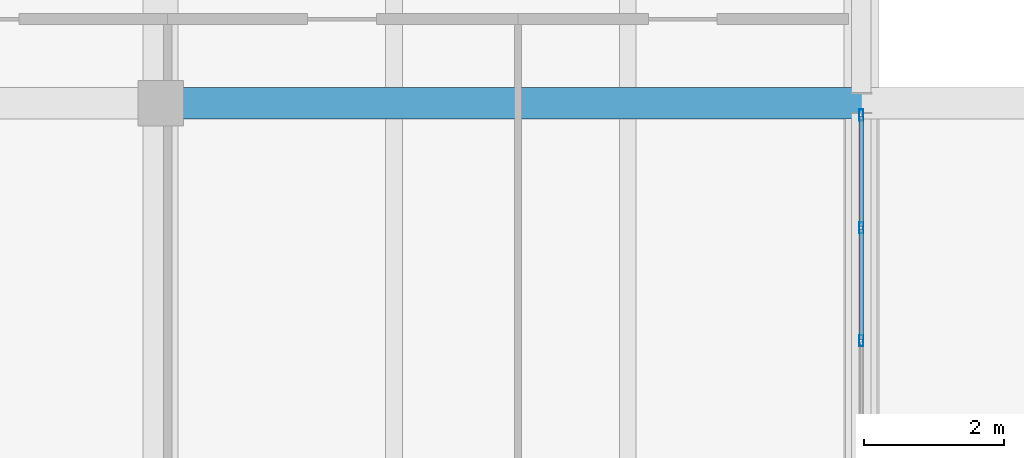
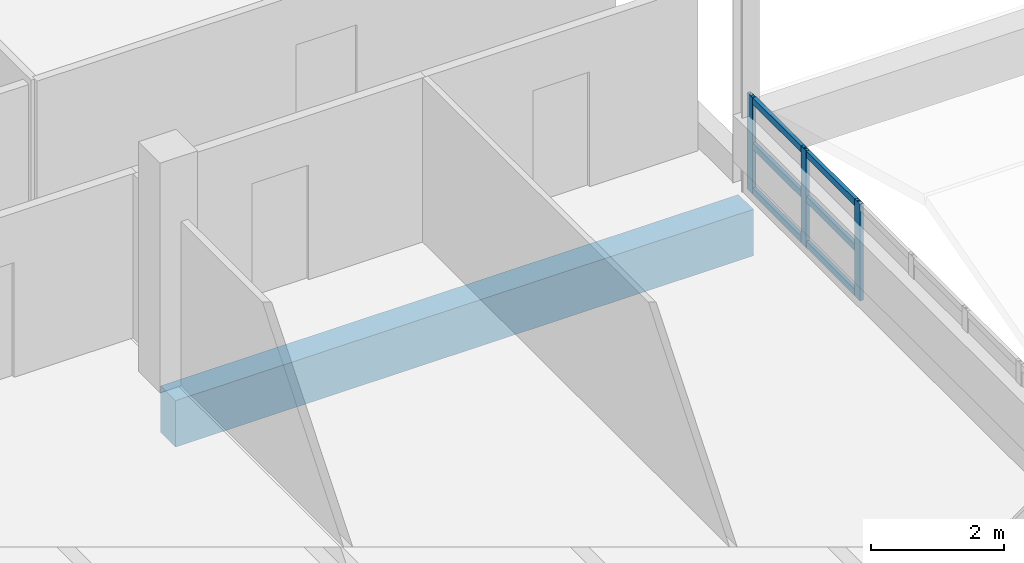
# One storey, part 31 of 82: 9 members, 1 beam, 1 element without a shape of its own.
"""IFC4 building model written with IfcOpenShell, lengths in metres."""

from ifc_helpers import new_model, si_unit, direction, frame, origin, origin_2d, place, context, subcontext, project, spatial, rectangle, hollow_rectangle, extrude, material, layer, layer_set, material_profile, profile_set, type_object, element, aggregate, save


model = new_model("IFC4")

# Units and contexts
model_context = context("Model", 3, precision=1e-05, world=origin(), true_north=direction((0.0, 1.0)))
body_context = subcontext(model_context, "Body", "Model", "MODEL_VIEW")
ifc_project = project(units=[si_unit("LENGTHUNIT", "METRE"), si_unit("AREAUNIT", "SQUARE_METRE"), si_unit("VOLUMEUNIT", "CUBIC_METRE"), si_unit("PLANEANGLEUNIT", "RADIAN"), si_unit("MASSUNIT", "GRAM", prefix="KILO")], contexts=[model_context])

# Site, building, storey
site_placement = place(None, origin())
site = spatial("IfcSite", under=ifc_project, at=site_placement, CompositionType="ELEMENT")
building_placement = place(site_placement, origin())
building = spatial("IfcBuilding", under=site, at=building_placement, Name="Mersad Railyard Sports Hall", CompositionType="ELEMENT")
storey_placement = place(building_placement, frame((0.0, 0.0, 13.199951171875)))
storey = spatial("IfcBuildingStorey", under=building, at=storey_placement, Name="L03", CompositionType="ELEMENT", Elevation=13.199951171875)

# Curtain wall, members
ifc_material_1 = material(Name="Aluminium 6063-T6", Category="aluminium")
ifc_layer = layer(ifc_material_1, 0.159912109375)
ifc_layer_set = layer_set([ifc_layer], Name="Aluminium 6063-T6")
curtain_wall_type = type_object("IfcCurtainWallType", Name="ARC-CW-CW24", PredefinedType="USERDEFINED", material=ifc_layer_set)
curtain_wall_placement = place(storey_placement, origin())
curtain_wall = element("IfcCurtainWall", 1, at=curtain_wall_placement, inside=storey, type_object=curtain_wall_type, Name="Curtain wall CW24-0082", ObjectType="CURTAIN WALL", PredefinedType="USERDEFINED")
ifc_material_profile_1 = material_profile(ifc_material_1, hollow_rectangle(XDim=0.06005859375, YDim=0.159912109375, WallThickness=0.00390625, at=origin_2d()), Name="AL MULLION 60x160x4")
ifc_profile_set_1 = profile_set([ifc_material_profile_1], Name="Aluminium 6063-T6")
member_type_1 = type_object("IfcMemberType", Name="ARC-CW-MUL01", PredefinedType="MULLION", material=ifc_profile_set_1)
member_1_placement = place(storey_placement, frame((131.0, 91.610107421875, -0.02001953125), z_axis=(0.0, 0.0, 1.0), x_axis=(1.0, 0.0, 0.0)))
member_1 = element("IfcMember", 2, at=member_1_placement, type_object=member_type_1, Name="CW24 Mullion 5", PredefinedType="MULLION", context=body_context, shape_type="SweptSolid", body=[
    extrude(hollow_rectangle(XDim=0.06005859375, YDim=0.159912109375, WallThickness=0.00390625, at=origin_2d()), origin(), (0.0, 0.0, 1.0), 1.77001953125),
])
member_2_placement = place(storey_placement, frame((131.0, 93.219970703125, -0.02001953125), z_axis=(0.0, 0.0, 1.0), x_axis=(1.0, 0.0, 0.0)))
member_2 = element("IfcMember", 3, at=member_2_placement, type_object=member_type_1, Name="CW24 Mullion 6", PredefinedType="MULLION", context=body_context, shape_type="SweptSolid", body=[
    extrude(hollow_rectangle(XDim=0.06005859375, YDim=0.159912109375, WallThickness=0.00390625, at=origin_2d()), origin(), (0.0, 0.0, 1.0), 1.77001953125),
])
member_3_placement = place(storey_placement, frame((131.0, 94.830078125, -0.02001953125), z_axis=(0.0, 0.0, 1.0), x_axis=(1.0, 0.0, 0.0)))
member_3 = element("IfcMember", 4, at=member_3_placement, type_object=member_type_1, Name="CW24 Mullion 7", PredefinedType="MULLION", context=body_context, shape_type="SweptSolid", body=[
    extrude(hollow_rectangle(XDim=0.06005859375, YDim=0.159912109375, WallThickness=0.00390625, at=origin_2d()), origin(), (0.0, 0.0, 1.0), 1.77001953125),
])
ifc_material_profile_2 = material_profile(ifc_material_1, hollow_rectangle(XDim=0.06005859375, YDim=0.1201171875, WallThickness=0.00390625, at=origin_2d()), Name="AL TRANSOM 60x120x4")
ifc_profile_set_2 = profile_set([ifc_material_profile_2], Name="Aluminium 6063-T6")
member_type_2 = type_object("IfcMemberType", Name="ARC-CW-TRN01", PredefinedType="USERDEFINED", material=ifc_profile_set_2)
member_4_placement = place(storey_placement, frame((131.0, 91.6298828125, 0.0400390625), z_axis=(0.0, 1.0, 0.0), x_axis=(-1.0, 0.0, 0.0)))
member_4 = element("IfcMember", 5, at=member_4_placement, type_object=member_type_2, Name="CW24 Transom 1-5", ObjectType="TRANSOM", PredefinedType="USERDEFINED", context=body_context, shape_type="SweptSolid", body=[
    extrude(hollow_rectangle(XDim=0.06005859375, YDim=0.1201171875, WallThickness=0.00390625, at=origin_2d()), origin(), (0.0, 0.0, 1.0), 1.570068359375),
])
member_5_placement = place(storey_placement, frame((131.0, 93.239990234375, 0.0400390625), z_axis=(0.0, 1.0, 0.0), x_axis=(-1.0, 0.0, 0.0)))
member_5 = element("IfcMember", 6, at=member_5_placement, type_object=member_type_2, Name="CW24 Transom 1-6", ObjectType="TRANSOM", PredefinedType="USERDEFINED", context=body_context, shape_type="SweptSolid", body=[
    extrude(hollow_rectangle(XDim=0.06005859375, YDim=0.1201171875, WallThickness=0.00390625, at=origin_2d()), origin(), (0.0, 0.0, 1.0), 1.570068359375),
])
member_6_placement = place(storey_placement, frame((131.0, 91.6298828125, 0.864990234375), z_axis=(0.0, 1.0, 0.0), x_axis=(-1.0, 0.0, 0.0)))
member_6 = element("IfcMember", 7, at=member_6_placement, type_object=member_type_2, Name="CW24 Transom 2-5", ObjectType="TRANSOM", PredefinedType="USERDEFINED", context=body_context, shape_type="SweptSolid", body=[
    extrude(hollow_rectangle(XDim=0.06005859375, YDim=0.1201171875, WallThickness=0.00390625, at=origin_2d()), origin(), (0.0, 0.0, 1.0), 1.570068359375),
])
member_7_placement = place(storey_placement, frame((131.0, 93.239990234375, 0.864990234375), z_axis=(0.0, 1.0, 0.0), x_axis=(-1.0, 0.0, 0.0)))
member_7 = element("IfcMember", 8, at=member_7_placement, type_object=member_type_2, Name="CW24 Transom 2-6", ObjectType="TRANSOM", PredefinedType="USERDEFINED", context=body_context, shape_type="SweptSolid", body=[
    extrude(hollow_rectangle(XDim=0.06005859375, YDim=0.1201171875, WallThickness=0.00390625, at=origin_2d()), origin(), (0.0, 0.0, 1.0), 1.570068359375),
])
member_8_placement = place(storey_placement, frame((131.0, 91.6298828125, 1.68994140625), z_axis=(0.0, 1.0, 0.0), x_axis=(-1.0, 0.0, 0.0)))
member_8 = element("IfcMember", 9, at=member_8_placement, type_object=member_type_2, Name="CW24 Transom 3-5", ObjectType="TRANSOM", PredefinedType="USERDEFINED", context=body_context, shape_type="SweptSolid", body=[
    extrude(hollow_rectangle(XDim=0.06005859375, YDim=0.1201171875, WallThickness=0.00390625, at=origin_2d()), origin(), (0.0, 0.0, 1.0), 1.570068359375),
])
member_9_placement = place(storey_placement, frame((131.0, 93.239990234375, 1.68994140625), z_axis=(0.0, 1.0, 0.0), x_axis=(-1.0, 0.0, 0.0)))
member_9 = element("IfcMember", 10, at=member_9_placement, type_object=member_type_2, Name="CW24 Transom 3-6", ObjectType="TRANSOM", PredefinedType="USERDEFINED", context=body_context, shape_type="SweptSolid", body=[
    extrude(hollow_rectangle(XDim=0.06005859375, YDim=0.1201171875, WallThickness=0.00390625, at=origin_2d()), origin(), (0.0, 0.0, 1.0), 1.570068359375),
])
aggregate(curtain_wall, [member_1, member_2, member_3, member_4, member_5, member_6, member_7, member_8, member_9])

# Beam
ifc_material_2 = material(Name="Concrete C40/50", Category="concrete")
ifc_material_profile_3 = material_profile(ifc_material_2, rectangle(XDim=0.449951171875, YDim=0.85009765625, at=origin_2d()), Name="RC 450x850")
ifc_profile_set_3 = profile_set([ifc_material_profile_3], Name="Concrete C40/50")
beam_type = type_object("IfcBeamType", Name="STR-BM-B02", PredefinedType="BEAM", material=ifc_profile_set_3)
beam_placement = place(storey_placement, frame((121.0, 95.0, -0.744873046875), z_axis=(1.0, 0.0, 0.0), x_axis=(0.0, 1.0, 0.0)))
element("IfcBeam", 11, at=beam_placement, inside=storey, type_object=beam_type, Name="Beam B02-1227", PredefinedType="BEAM", context=body_context, shape_type="SweptSolid", body=[
    extrude(rectangle(XDim=0.449951171875, YDim=0.85009765625, at=origin_2d()), origin(), (0.0, 0.0, 1.0), 10.0),
])

save(model, "model.ifc")
